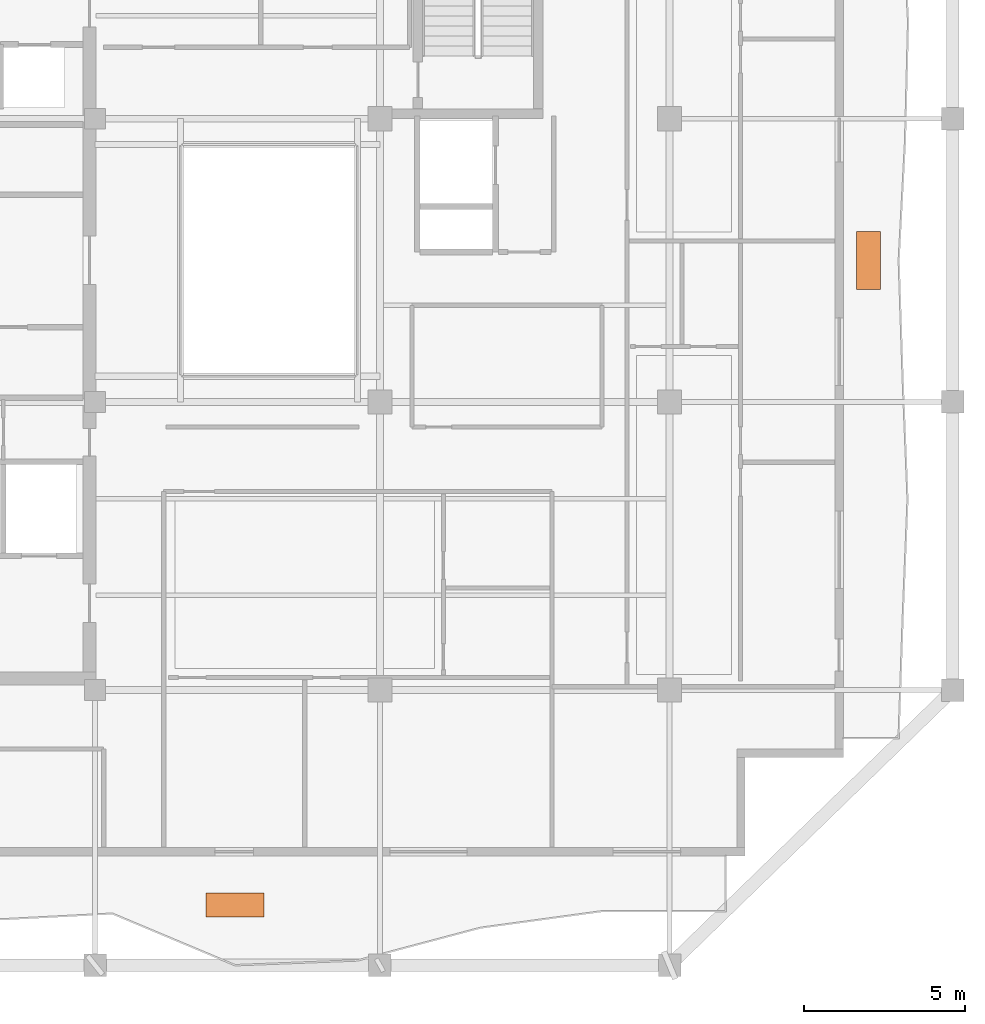
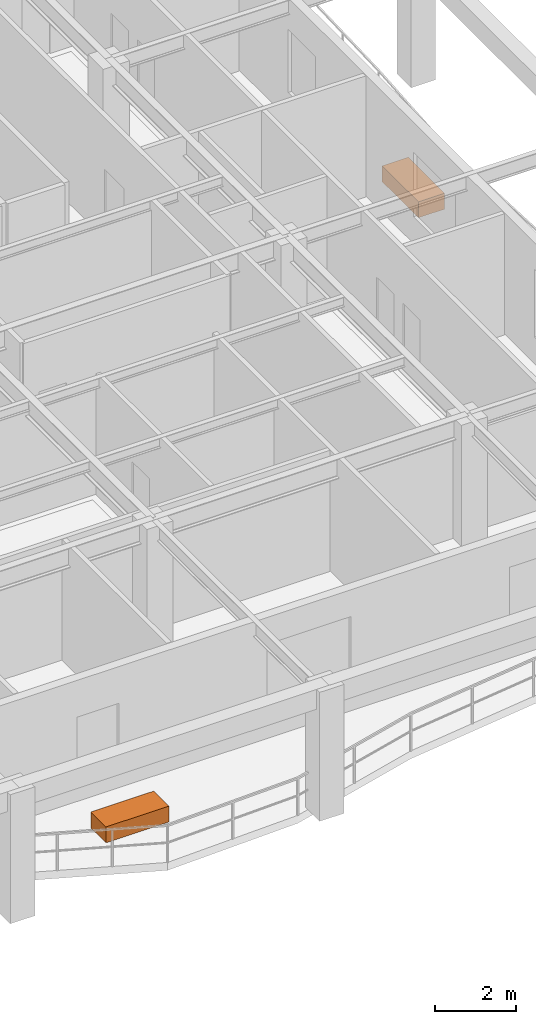
# One storey, part 10 of 10: 2 proxies.
"""IFC4 building model written with IfcOpenShell, lengths in metres."""

from ifc_helpers import new_model, si_unit, direction, frame, origin, origin_2d, place, context, subcontext, project, spatial, rectangle, extrude, material, type_object, element, save


model = new_model("IFC4")

# Units and contexts
model_context = context("Model", 3, precision=1e-05, world=origin(), true_north=direction((0.0, 1.0)))
body_context = subcontext(model_context, "Body", "Model", "MODEL_VIEW")
ifc_project = project(units=[si_unit("LENGTHUNIT", "METRE"), si_unit("AREAUNIT", "SQUARE_METRE"), si_unit("VOLUMEUNIT", "CUBIC_METRE"), si_unit("PLANEANGLEUNIT", "RADIAN"), si_unit("MASSUNIT", "GRAM", prefix="KILO")], contexts=[model_context])

# Site, building, storey
site_placement = place(None, origin())
site = spatial("IfcSite", under=ifc_project, at=site_placement, CompositionType="ELEMENT")
building_placement = place(site_placement, origin())
building = spatial("IfcBuilding", under=site, at=building_placement, Name="Kundavana Baori Tower", CompositionType="ELEMENT")
storey_placement = place(building_placement, frame((0.0, 0.0, 296.0)))
storey = spatial("IfcBuildingStorey", under=building, at=storey_placement, Name="L73", CompositionType="ELEMENT", Elevation=296.0)

# Proxies
ifc_material = material(Name="Red-Buff Dholpur Sandstone Cladding on Concrete C40/50", Category="masonry")
building_element_proxy_type = type_object("IfcBuildingElementProxyType", Name="PRX-PLANTER-1800", PredefinedType="USERDEFINED", material=ifc_material)
for number, where, z_axis, x_axis, name in (
    (1, (29.300048828125, 8.570068359375, 0.0), (0.0, 0.0, 1.0), (1.0, 0.0, 0.0), "L73 Dholpur Stone Structural Tree Planter S"),
    (2, (48.97607421875, 28.60009765625, 0.0), (0.0, 0.0, 1.0), (0.0, 1.0, 0.0), "L73 Dholpur Stone Structural Tree Planter E"),
):
    element("IfcBuildingElementProxy", number, at=place(storey_placement, frame(where, z_axis=z_axis, x_axis=x_axis)), inside=storey, type_object=building_element_proxy_type, Name=name, ObjectType="PLANTER", PredefinedType="USERDEFINED", context=body_context, shape_type="SweptSolid", body=[
        extrude(rectangle(XDim=1.800048828125, YDim=0.75, at=origin_2d()), origin(), (0.0, 0.0, 1.0), 0.47998046875),
    ])

save(model, "model.ifc")
